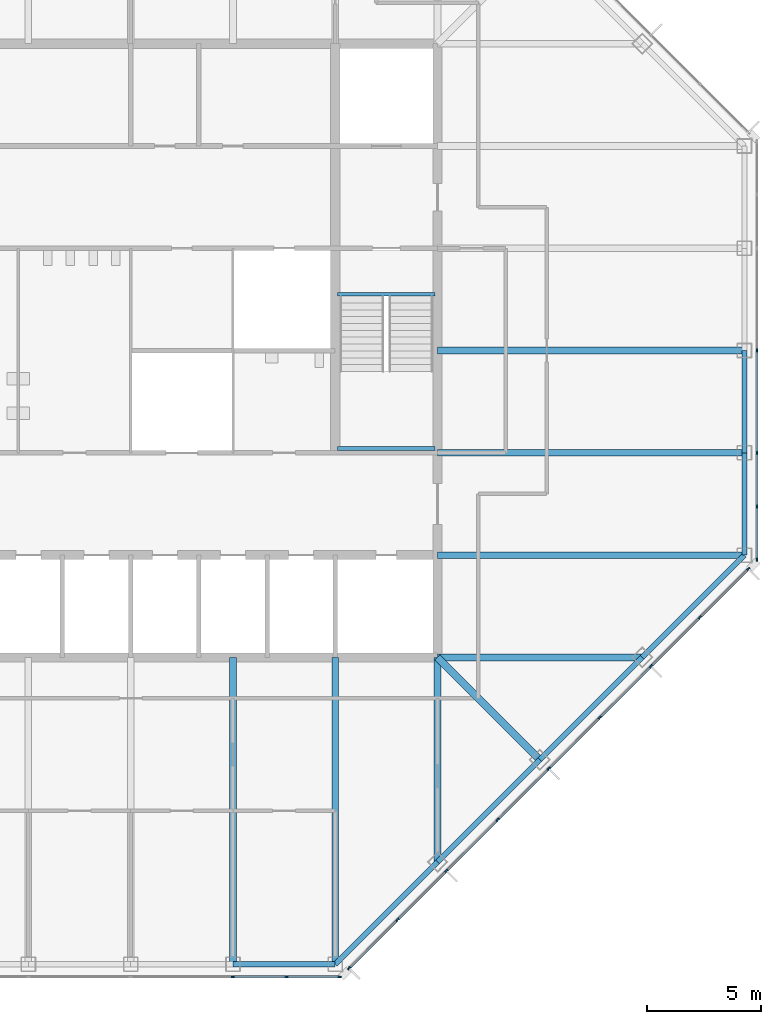
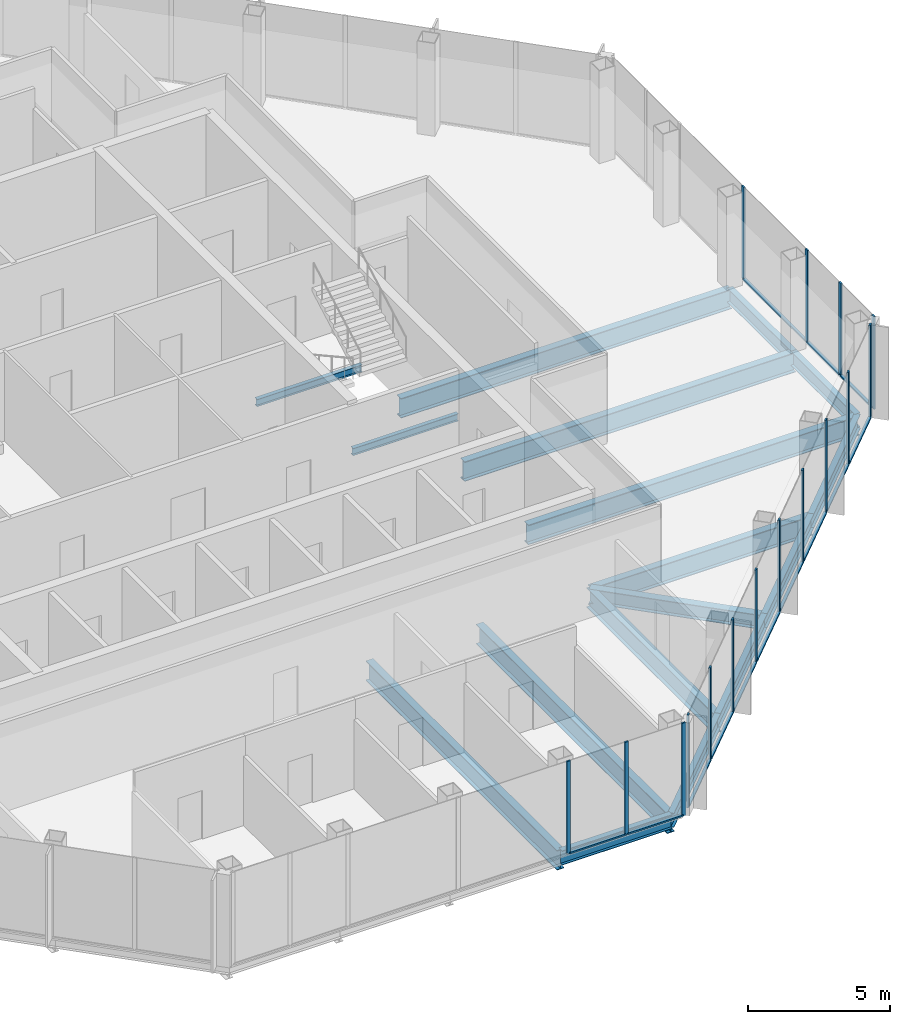
# One storey, part 4 of 14: 29 members, 17 beams, 3 elements without a shape of their own.
"""IFC4 building model written with IfcOpenShell, lengths in metres."""

import ifcopenshell
import ifcopenshell.guid

model = None  # the IFC model being written
_history = None  # IfcOwnerHistory: only IFC2X3 demands one
_inside = {}  # id of a spatial element -> (the spatial element, [elements in it])
_under = {}  # id of a project, library or spatial element -> (it, [spatial elements below it])
_declared = {}  # id of a project -> (the project, [libraries it declares])
_typed = {}  # id of a type object -> (the type object, [elements of that type])
_made_of = {}  # id of a material, layer set ... -> (it, [elements and type objects made of it])


def new_model(schema):
    """Start an empty IFC model of exactly this schema.

    Asked for "IFC4X3", IfcOpenShell would pick the latest addendum, in which some entities
    have other attributes; the version numbers below select the first issue.
    IFC2X3 requires an IfcOwnerHistory on every rooted entity: one is made here for all.
    """
    global model, _history
    if schema == "IFC4X3":
        model = ifcopenshell.file(schema_version=(4, 3, 0, 0))
    else:
        model = ifcopenshell.file(schema=schema)
    _inside.clear()
    _under.clear()
    _declared.clear()
    _typed.clear()
    _made_of.clear()
    _history = None
    if model.schema == "IFC2X3":
        org = make("IfcOrganization", Name="unknown")
        user = make(
            "IfcPersonAndOrganization",
            ThePerson=make("IfcPerson", FamilyName="unknown"),
            TheOrganization=org,
        )
        app = make(
            "IfcApplication",
            ApplicationDeveloper=org,
            Version="unknown",
            ApplicationFullName="unknown",
            ApplicationIdentifier="unknown",
        )
        _history = make(
            "IfcOwnerHistory",
            OwningUser=user,
            OwningApplication=app,
            ChangeAction="ADDED",
            CreationDate=0,
        )
    return model


def make(cls, **values):
    """One entity of the class cls with the attributes given. An attribute that is None is left unset."""
    return model.create_entity(
        cls, **{name: value for name, value in values.items() if value is not None}
    )


def rooted(cls, **values):
    """An entity with a GlobalId (a new one), such as an element, a storey or a relation."""
    return make(cls, GlobalId=ifcopenshell.guid.new(), OwnerHistory=_history, **values)


def si_unit(unit_type, name, prefix=None):
    """IfcSIUnit, for example si_unit("LENGTHUNIT", "METRE", prefix="MILLI")."""
    return make("IfcSIUnit", UnitType=unit_type, Prefix=prefix, Name=name)


def assignment(units):
    """IfcUnitAssignment: the units of a project."""
    return None if units is None else make("IfcUnitAssignment", Units=units)


def point(xyz):
    """IfcCartesianPoint."""
    return None if xyz is None else make("IfcCartesianPoint", Coordinates=xyz)


def direction(xyz):
    """IfcDirection."""
    return None if xyz is None else make("IfcDirection", DirectionRatios=xyz)


def frame(location, z_axis=None, x_axis=None):
    """IfcAxis2Placement3D, a coordinate frame: its origin and axes. An axis left out is left unset."""
    return make(
        "IfcAxis2Placement3D",
        Location=point(location),
        Axis=direction(z_axis),
        RefDirection=direction(x_axis),
    )


def frame_2d(location, x_axis=None):
    """IfcAxis2Placement2D, a coordinate frame in the plane: its origin and x axis."""
    return make(
        "IfcAxis2Placement2D", Location=point(location), RefDirection=direction(x_axis)
    )


def origin():
    """The frame at (0, 0, 0) with its axes left unset."""
    return frame((0.0, 0.0, 0.0))


def origin_2d():
    """The frame at (0, 0) in the plane with its x axis left unset."""
    return frame_2d((0.0, 0.0))


def place(relative_to, where):
    """IfcLocalPlacement: puts the frame where relative to a parent placement (None: the world)."""
    return make(
        "IfcLocalPlacement", PlacementRelTo=relative_to, RelativePlacement=where
    )


def context(
    kind, dimensions, precision=None, world=None, true_north=None, identifier=None
):
    """IfcGeometricRepresentationContext, for example the 3D "Model" context."""
    return make(
        "IfcGeometricRepresentationContext",
        ContextIdentifier=identifier,
        ContextType=kind,
        CoordinateSpaceDimension=dimensions,
        Precision=precision,
        WorldCoordinateSystem=world,
        TrueNorth=true_north,
    )


def subcontext(parent, identifier, kind, view, scale=None):
    """IfcGeometricRepresentationSubContext, for example "Body" below "Model"."""
    return make(
        "IfcGeometricRepresentationSubContext",
        ContextIdentifier=identifier,
        ContextType=kind,
        ParentContext=parent,
        TargetScale=scale,
        TargetView=view,
    )


def project(units=None, contexts=None):
    """IfcProject with its units and contexts."""
    return rooted(
        "IfcProject",
        Name="project",
        RepresentationContexts=contexts,
        UnitsInContext=assignment(units),
    )


def spatial(cls, under=None, at=None, **own):
    """A site, building, storey or space (cls), placed at a placement, below another one or the project."""
    s = rooted(cls, ObjectPlacement=at, **own)
    if under is not None:
        _under.setdefault(under.id(), (under, []))[1].append(s)
    return s


def profile(cls, at=None, kind="AREA", **sizes):
    """A parametric profile (cls). Its sizes go by their IFC names, for example OverallWidth=200.0."""
    return make(cls, ProfileType=kind, Position=at, **sizes)


def rectangle(**sizes):
    """IfcRectangleProfileDef."""
    return profile("IfcRectangleProfileDef", **sizes)


def i_section(**sizes):
    """IfcIShapeProfileDef."""
    return profile("IfcIShapeProfileDef", **sizes)


def extrude(swept, where, along, depth):
    """IfcExtrudedAreaSolid: the profile swept, set in the frame where, extruded along a direction by depth."""
    return make(
        "IfcExtrudedAreaSolid",
        SweptArea=swept,
        Position=where,
        ExtrudedDirection=direction(along),
        Depth=depth,
    )


def shape(context_of_items, identifier, shape_type, items):
    """IfcShapeRepresentation: the items that make up one representation, for example the "Body"."""
    return make(
        "IfcShapeRepresentation",
        ContextOfItems=context_of_items,
        RepresentationIdentifier=identifier,
        RepresentationType=shape_type,
        Items=items,
    )


def material(Name=None, Category=None):
    """IfcMaterial."""
    return make("IfcMaterial", Name=Name, Category=Category)


def material_profile(
    of_material, cross_section, Name=None, Category=None, Priority=None
):
    """IfcMaterialProfile: a cross section and its material."""
    return make(
        "IfcMaterialProfile",
        Name=Name,
        Material=of_material,
        Profile=cross_section,
        Priority=Priority,
        Category=Category,
    )


def profile_set(profiles, Name=None, composite=None):
    """IfcMaterialProfileSet."""
    return make(
        "IfcMaterialProfileSet",
        Name=Name,
        MaterialProfiles=profiles,
        CompositeProfile=composite,
    )


def made_of(thing, what):
    """Note that an element or type object is made of a material, layer set ...; save() writes the relation."""
    if what is not None:
        _made_of.setdefault(what.id(), (what, []))[1].append(thing)
    return thing


def type_object(cls, material=None, **own):
    """A type object (cls), such as IfcWallType, which elements share."""
    return made_of(rooted(cls, **own), material)


def element(
    cls,
    number,
    at=None,
    inside=None,
    cuts=None,
    type_object=None,
    material=None,
    context=None,
    identifier="Body",
    shape_type=None,
    held_by="IfcProductDefinitionShape",
    body=None,
    shapes=None,
    **own,
):
    """One element of the class cls, such as IfcWall. Its Tag is "e" and its number.

    at: its placement. inside: the storey or other place that contains it. cuts: it is an
    opening in that element (IfcRelVoidsElement). A single representation is given by context,
    identifier, shape_type and body (its items); several are given by shapes. held_by: the class
    of the entity that holds the representations. save() writes the other relations.
    """
    e = rooted(cls, Tag="e%d" % number, ObjectPlacement=at, **own)
    if body is not None:
        shapes = [shape(context, identifier, shape_type, body)]
    if shapes is not None:
        e.Representation = make(held_by, Representations=shapes)
    if inside is not None:
        _inside.setdefault(inside.id(), (inside, []))[1].append(e)
    if cuts is not None:
        rooted(
            "IfcRelVoidsElement", RelatingBuildingElement=cuts, RelatedOpeningElement=e
        )
    if type_object is not None:
        _typed.setdefault(type_object.id(), (type_object, []))[1].append(e)
    return made_of(e, material)


def aggregate(whole, parts):
    """IfcRelAggregates: a whole, such as a stair, and the parts it consists of."""
    return rooted("IfcRelAggregates", RelatingObject=whole, RelatedObjects=parts)


def save(model, path):
    """Write the relations noted so far, then the file.

    IfcRelAggregates (storeys below a building ...), IfcRelContainedInSpatialStructure (elements
    in a storey), IfcRelDefinesByType, IfcRelAssociatesMaterial and IfcRelDeclares: one each for
    every whole, place, type object, material and project.
    """
    for whole, parts in _under.values():
        aggregate(whole, parts)
    for where, things in _inside.values():
        rooted(
            "IfcRelContainedInSpatialStructure",
            RelatedElements=things,
            RelatingStructure=where,
        )
    for kind, things in _typed.values():
        rooted("IfcRelDefinesByType", RelatedObjects=things, RelatingType=kind)
    for what, things in _made_of.values():
        rooted("IfcRelAssociatesMaterial", RelatedObjects=things, RelatingMaterial=what)
    for by, libraries in _declared.values():
        rooted("IfcRelDeclares", RelatingContext=by, RelatedDefinitions=libraries)
    model.write(path)


model = new_model("IFC4")

# Units and contexts
model_context = context("Model", 3, precision=1e-05, world=origin(), true_north=direction((0.0, 1.0)))
body_context = subcontext(model_context, "Body", "Model", "MODEL_VIEW")
ifc_project = project(units=[si_unit("LENGTHUNIT", "METRE"), si_unit("AREAUNIT", "SQUARE_METRE"), si_unit("VOLUMEUNIT", "CUBIC_METRE"), si_unit("PLANEANGLEUNIT", "RADIAN"), si_unit("MASSUNIT", "GRAM", prefix="KILO")], contexts=[model_context])

# Site, building, storey
site_placement = place(None, origin())
site = spatial("IfcSite", under=ifc_project, at=site_placement, CompositionType="ELEMENT")
building_placement = place(site_placement, origin())
building = spatial("IfcBuilding", under=site, at=building_placement, Name="Corais Broadcast Tower", CompositionType="ELEMENT")
storey_placement = place(building_placement, frame((0.0, 0.0, 254.60009765625)))
storey = spatial("IfcBuildingStorey", under=building, at=storey_placement, Name="L59", CompositionType="ELEMENT", Elevation=254.60009765625)

# Beams
ifc_material_1 = material(Name="Steel ASTM A572 Grade 50", Category="steel")
ifc_material_profile_1 = material_profile(ifc_material_1, i_section(OverallWidth=0.323974609375, OverallDepth=0.611083984375, WebThickness=0.0126953125, FlangeThickness=0.01904296875, at=origin_2d()), Name="W610x155")
ifc_profile_set_1 = profile_set([ifc_material_profile_1], Name="Steel ASTM A572 Grade 50")
beam_type_1 = type_object("IfcBeamType", Name="Corner diagonal W610x155", PredefinedType="BEAM", material=ifc_profile_set_1)
beam_1_placement = place(storey_placement, frame((45.0, 9.0, -0.465576171875), z_axis=(-0.707106781187, 0.707106781187, 0.0), x_axis=(-0.707106781187, -0.707106781187, 0.0)))
element("IfcBeam", 1, at=beam_1_placement, inside=storey, type_object=beam_type_1, Name="B6 C/13 to D/12", PredefinedType="BEAM", context=body_context, shape_type="SweptSolid", body=[
    extrude(i_section(OverallWidth=0.323974609375, OverallDepth=0.611083984375, WebThickness=0.0126953125, FlangeThickness=0.01904296875, at=origin_2d()), origin(), (0.0, 0.0, 1.0), 6.364013671875),
])
ifc_material_2 = material(Name="Steel ASTM A572 Grade 50", Category="steel")
ifc_material_profile_2 = material_profile(ifc_material_2, i_section(OverallWidth=0.2939453125, OverallDepth=0.85107421875, WebThickness=0.01611328125, FlangeThickness=0.02685546875, at=origin_2d()), Name="W840x226")
ifc_profile_set_2 = profile_set([ifc_material_profile_2], Name="Steel ASTM A572 Grade 50")
beam_type_2 = type_object("IfcBeamType", Name="Floor beam W840x226", PredefinedType="BEAM", material=ifc_profile_set_2)
for number, where, z_axis, x_axis, name in (
    (2, (31.5, 0.0, -0.585693359375), (0.0, 1.0, 0.0), (-1.0, 0.0, 0.0), "B1 A/10 to D/10"),
    (3, (36.0, 0.0, -0.585693359375), (0.0, 1.0, 0.0), (-1.0, 0.0, 0.0), "B1 A/11 to D/11"),
):
    element("IfcBeam", number, at=place(storey_placement, frame(where, z_axis=z_axis, x_axis=x_axis)), inside=storey, type_object=beam_type_2, Name=name, PredefinedType="BEAM", context=body_context, shape_type="SweptSolid", body=[
        extrude(i_section(OverallWidth=0.2939453125, OverallDepth=0.85107421875, WebThickness=0.01611328125, FlangeThickness=0.02685546875, at=origin_2d()), origin(), (0.0, 0.0, 1.0), 13.5),
    ])
for number, where, z_axis, x_axis, name in (
    (4, (40.5, 4.5, -0.585693359375), (0.0, 1.0, 0.0), (-1.0, 0.0, 0.0), "B1 B/12 to D/12"),
    (5, (49.5, 13.5, -0.585693359375), (-1.0, 0.0, 0.0), (0.0, -1.0, 0.0), "B1 D/14 to D/12"),
):
    element("IfcBeam", number, at=place(storey_placement, frame(where, z_axis=z_axis, x_axis=x_axis)), inside=storey, type_object=beam_type_2, Name=name, PredefinedType="BEAM", context=body_context, shape_type="SweptSolid", body=[
        extrude(i_section(OverallWidth=0.2939453125, OverallDepth=0.85107421875, WebThickness=0.01611328125, FlangeThickness=0.02685546875, at=origin_2d()), origin(), (0.0, 0.0, 1.0), 9.0),
    ])
for number, where, z_axis, x_axis, name in (
    (6, (54.0, 18.0, -0.585693359375), (-1.0, 0.0, 0.0), (0.0, -1.0, 0.0), "B1 E/15 to E/12"),
    (7, (54.0, 22.5, -0.585693359375), (-1.0, 0.0, 0.0), (0.0, -1.0, 0.0), "B1 F/15 to F/12"),
    (8, (54.0, 27.0, -0.585693359375), (-1.0, 0.0, 0.0), (0.0, -1.0, 0.0), "B1 G/15 to G/12"),
):
    element("IfcBeam", number, at=place(storey_placement, frame(where, z_axis=z_axis, x_axis=x_axis)), inside=storey, type_object=beam_type_2, Name=name, PredefinedType="BEAM", context=body_context, shape_type="SweptSolid", body=[
        extrude(i_section(OverallWidth=0.2939453125, OverallDepth=0.85107421875, WebThickness=0.01611328125, FlangeThickness=0.02685546875, at=origin_2d()), origin(), (0.0, 0.0, 1.0), 13.5),
    ])
ifc_material_3 = material(Name="Steel ASTM A572 Grade 50", Category="steel")
ifc_material_profile_3 = material_profile(ifc_material_3, i_section(OverallWidth=0.1650390625, OverallDepth=0.31005859375, WebThickness=0.005859375, FlangeThickness=0.009765625, at=origin_2d()), Name="W310x38.7")
ifc_profile_set_3 = profile_set([ifc_material_profile_3], Name="Steel ASTM A572 Grade 50")
beam_type_3 = type_object("IfcBeamType", Name="Landing trimmer W310x38.7", PredefinedType="BEAM", material=ifc_profile_set_3)
for number, where, z_axis, x_axis, name in (
    (9, (36.10009765625, 29.47509765625, -0.35498046875), (1.0, 0.0, 0.0), (0.0, 1.0, 0.0), "LT1 stair B landing trimmer L59"),
    (10, (36.10009765625, 22.68994140625, 1.64501953125), (1.0, 0.0, 0.0), (0.0, 1.0, 0.0), "LT1 stair B half landing trimmer L59"),
):
    element("IfcBeam", number, at=place(storey_placement, frame(where, z_axis=z_axis, x_axis=x_axis)), inside=storey, type_object=beam_type_3, Name=name, PredefinedType="BEAM", context=body_context, shape_type="SweptSolid", body=[
        extrude(i_section(OverallWidth=0.1650390625, OverallDepth=0.31005859375, WebThickness=0.005859375, FlangeThickness=0.009765625, at=origin_2d()), origin(), (0.0, 0.0, 1.0), 4.2998046875),
    ])

# Curtain wall, members
ifc_material_4 = material(Name="Aluminium and glass", Category="aluminium")
curtain_wall_type = type_object("IfcCurtainWallType", Name="Unitised fritted curtain wall CW3", PredefinedType="NOTDEFINED", material=ifc_material_4)
curtain_wall_1_placement = place(storey_placement, origin())
curtain_wall_1 = element("IfcCurtainWall", 11, at=curtain_wall_1_placement, inside=storey, type_object=curtain_wall_type, Name="CW3 curtain wall L59 6", PredefinedType="NOTDEFINED")
ifc_material_5 = material(Name="Aluminium 6063-T6", Category="aluminium")
ifc_material_profile_4 = material_profile(ifc_material_5, rectangle(XDim=0.06494140625, YDim=0.159912109375, at=origin_2d()), Name="Mullion CW3 65x160")
ifc_profile_set_4 = profile_set([ifc_material_profile_4], Name="Aluminium 6063-T6")
member_type_1 = type_object("IfcMemberType", Name="Mullion CW3 65x160", PredefinedType="MULLION", material=ifc_profile_set_4)
member_1_placement = place(storey_placement, frame((54.550048828125, 27.0, 0.0), z_axis=(0.0, 0.0, 1.0), x_axis=(1.0, 0.0, 0.0)))
member_1 = element("IfcMember", 12, at=member_1_placement, type_object=member_type_1, Name="CW3 mullion 4", PredefinedType="MULLION", context=body_context, shape_type="SweptSolid", body=[
    extrude(rectangle(XDim=0.06494140625, YDim=0.159912109375, at=origin_2d()), origin(), (0.0, 0.0, 1.0), 4.0),
])
member_2_placement = place(storey_placement, frame((54.550048828125, 22.5, 0.0), z_axis=(0.0, 0.0, 1.0), x_axis=(1.0, 0.0, 0.0)))
member_2 = element("IfcMember", 13, at=member_2_placement, type_object=member_type_1, Name="CW3 mullion 5", PredefinedType="MULLION", context=body_context, shape_type="SweptSolid", body=[
    extrude(rectangle(XDim=0.06494140625, YDim=0.159912109375, at=origin_2d()), origin(), (0.0, 0.0, 1.0), 4.0),
])
member_3_placement = place(storey_placement, frame((54.550048828125, 20.135986328125, 0.0), z_axis=(0.0, 0.0, 1.0), x_axis=(1.0, 0.0, 0.0)))
member_3 = element("IfcMember", 14, at=member_3_placement, type_object=member_type_1, Name="CW3 mullion 6", PredefinedType="MULLION", context=body_context, shape_type="SweptSolid", body=[
    extrude(rectangle(XDim=0.06494140625, YDim=0.159912109375, at=origin_2d()), origin(), (0.0, 0.0, 1.0), 4.0),
])
member_4_placement = place(storey_placement, frame((54.550048828125, 17.8046875, 0.0), z_axis=(0.0, 0.0, 1.0), x_axis=(1.0, 0.0, 0.0)))
member_4 = element("IfcMember", 15, at=member_4_placement, type_object=member_type_1, Name="CW3 mullion 7", PredefinedType="MULLION", context=body_context, shape_type="SweptSolid", body=[
    extrude(rectangle(XDim=0.06494140625, YDim=0.159912109375, at=origin_2d()), origin(), (0.0, 0.0, 1.0), 4.0),
])

curtain_wall_2_placement = place(storey_placement, origin())
curtain_wall_2 = element("IfcCurtainWall", 16, at=curtain_wall_2_placement, inside=storey, type_object=curtain_wall_type, Name="CW3 curtain wall L59 7", PredefinedType="NOTDEFINED")
member_5_placement = place(storey_placement, frame((54.17333984375, 17.3955078125, 0.0), z_axis=(0.0, 0.0, 1.0), x_axis=(0.707106781187, -0.707106781187, 0.0)))
member_5 = element("IfcMember", 17, at=member_5_placement, type_object=member_type_1, Name="CW3 mullion 1", PredefinedType="MULLION", context=body_context, shape_type="SweptSolid", body=[
    extrude(rectangle(XDim=0.06494140625, YDim=0.159912109375, at=origin_2d()), origin(), (0.0, 0.0, 1.0), 4.0),
])
member_6_placement = place(storey_placement, frame((52.042724609375, 15.264892578125, 0.0), z_axis=(0.0, 0.0, 1.0), x_axis=(0.707106781187, -0.707106781187, 0.0)))
member_6 = element("IfcMember", 18, at=member_6_placement, type_object=member_type_1, Name="CW3 mullion 2", PredefinedType="MULLION", context=body_context, shape_type="SweptSolid", body=[
    extrude(rectangle(XDim=0.06494140625, YDim=0.159912109375, at=origin_2d()), origin(), (0.0, 0.0, 1.0), 4.0),
])
member_7_placement = place(storey_placement, frame((49.888916015625, 13.111083984375, 0.0), z_axis=(0.0, 0.0, 1.0), x_axis=(0.707106781187, -0.707106781187, 0.0)))
member_7 = element("IfcMember", 19, at=member_7_placement, type_object=member_type_1, Name="CW3 mullion 3", PredefinedType="MULLION", context=body_context, shape_type="SweptSolid", body=[
    extrude(rectangle(XDim=0.06494140625, YDim=0.159912109375, at=origin_2d()), origin(), (0.0, 0.0, 1.0), 4.0),
])
member_8_placement = place(storey_placement, frame((47.638916015625, 10.861083984375, 0.0), z_axis=(0.0, 0.0, 1.0), x_axis=(0.707106781187, -0.707106781187, 0.0)))
member_8 = element("IfcMember", 20, at=member_8_placement, type_object=member_type_1, Name="CW3 mullion 4", PredefinedType="MULLION", context=body_context, shape_type="SweptSolid", body=[
    extrude(rectangle(XDim=0.06494140625, YDim=0.159912109375, at=origin_2d()), origin(), (0.0, 0.0, 1.0), 4.0),
])
member_9_placement = place(storey_placement, frame((45.388916015625, 8.611083984375, 0.0), z_axis=(0.0, 0.0, 1.0), x_axis=(0.707106781187, -0.707106781187, 0.0)))
member_9 = element("IfcMember", 21, at=member_9_placement, type_object=member_type_1, Name="CW3 mullion 5", PredefinedType="MULLION", context=body_context, shape_type="SweptSolid", body=[
    extrude(rectangle(XDim=0.06494140625, YDim=0.159912109375, at=origin_2d()), origin(), (0.0, 0.0, 1.0), 4.0),
])
member_10_placement = place(storey_placement, frame((43.138916015625, 6.361083984375, 0.0), z_axis=(0.0, 0.0, 1.0), x_axis=(0.707106781187, -0.707106781187, 0.0)))
member_10 = element("IfcMember", 22, at=member_10_placement, type_object=member_type_1, Name="CW3 mullion 6", PredefinedType="MULLION", context=body_context, shape_type="SweptSolid", body=[
    extrude(rectangle(XDim=0.06494140625, YDim=0.159912109375, at=origin_2d()), origin(), (0.0, 0.0, 1.0), 4.0),
])
member_11_placement = place(storey_placement, frame((40.888916015625, 4.111083984375, 0.0), z_axis=(0.0, 0.0, 1.0), x_axis=(0.707106781187, -0.707106781187, 0.0)))
member_11 = element("IfcMember", 23, at=member_11_placement, type_object=member_type_1, Name="CW3 mullion 7", PredefinedType="MULLION", context=body_context, shape_type="SweptSolid", body=[
    extrude(rectangle(XDim=0.06494140625, YDim=0.159912109375, at=origin_2d()), origin(), (0.0, 0.0, 1.0), 4.0),
])
member_12_placement = place(storey_placement, frame((38.735107421875, 1.957275390625, 0.0), z_axis=(0.0, 0.0, 1.0), x_axis=(0.707106781187, -0.707106781187, 0.0)))
member_12 = element("IfcMember", 24, at=member_12_placement, type_object=member_type_1, Name="CW3 mullion 8", PredefinedType="MULLION", context=body_context, shape_type="SweptSolid", body=[
    extrude(rectangle(XDim=0.06494140625, YDim=0.159912109375, at=origin_2d()), origin(), (0.0, 0.0, 1.0), 4.0),
])
member_13_placement = place(storey_placement, frame((36.6044921875, -0.17333984375, 0.0), z_axis=(0.0, 0.0, 1.0), x_axis=(0.707106781187, -0.707106781187, 0.0)))
member_13 = element("IfcMember", 25, at=member_13_placement, type_object=member_type_1, Name="CW3 mullion 9", PredefinedType="MULLION", context=body_context, shape_type="SweptSolid", body=[
    extrude(rectangle(XDim=0.06494140625, YDim=0.159912109375, at=origin_2d()), origin(), (0.0, 0.0, 1.0), 4.0),
])

curtain_wall_3_placement = place(storey_placement, origin())
curtain_wall_3 = element("IfcCurtainWall", 26, at=curtain_wall_3_placement, inside=storey, type_object=curtain_wall_type, Name="CW3 curtain wall L59 8", PredefinedType="NOTDEFINED")
member_14_placement = place(storey_placement, frame((36.1953125, -0.550048828125, 0.0), z_axis=(0.0, 0.0, 1.0), x_axis=(0.0, -1.0, 0.0)))
member_14 = element("IfcMember", 27, at=member_14_placement, type_object=member_type_1, Name="CW3 mullion 1", PredefinedType="MULLION", context=body_context, shape_type="SweptSolid", body=[
    extrude(rectangle(XDim=0.06494140625, YDim=0.159912109375, at=origin_2d()), origin(), (0.0, 0.0, 1.0), 4.0),
])
member_15_placement = place(storey_placement, frame((33.864013671875, -0.550048828125, 0.0), z_axis=(0.0, 0.0, 1.0), x_axis=(0.0, -1.0, 0.0)))
member_15 = element("IfcMember", 28, at=member_15_placement, type_object=member_type_1, Name="CW3 mullion 2", PredefinedType="MULLION", context=body_context, shape_type="SweptSolid", body=[
    extrude(rectangle(XDim=0.06494140625, YDim=0.159912109375, at=origin_2d()), origin(), (0.0, 0.0, 1.0), 4.0),
])
member_16_placement = place(storey_placement, frame((31.5, -0.550048828125, 0.0), z_axis=(0.0, 0.0, 1.0), x_axis=(0.0, -1.0, 0.0)))
member_16 = element("IfcMember", 29, at=member_16_placement, type_object=member_type_1, Name="CW3 mullion 3", PredefinedType="MULLION", context=body_context, shape_type="SweptSolid", body=[
    extrude(rectangle(XDim=0.06494140625, YDim=0.159912109375, at=origin_2d()), origin(), (0.0, 0.0, 1.0), 4.0),
])

# Beams
ifc_material_6 = material(Name="Steel ASTM A572 Grade 50", Category="steel")
ifc_material_profile_5 = material_profile(ifc_material_6, i_section(OverallWidth=0.22998046875, OverallDepth=0.616943359375, WebThickness=0.01318359375, FlangeThickness=0.022216796875, at=origin_2d()), Name="W610x140")
ifc_profile_set_5 = profile_set([ifc_material_profile_5], Name="Steel ASTM A572 Grade 50")
beam_type_4 = type_object("IfcBeamType", Name="Spandrel W610x140", PredefinedType="BEAM", material=ifc_profile_set_5)
beam_2_placement = place(storey_placement, frame((31.5, 0.0, -0.468505859375), z_axis=(1.0, 0.0, 0.0), x_axis=(0.0, 1.0, 0.0)))
element("IfcBeam", 30, at=beam_2_placement, inside=storey, type_object=beam_type_4, Name="SB3 A/10 to A/11", PredefinedType="BEAM", context=body_context, shape_type="SweptSolid", body=[
    extrude(i_section(OverallWidth=0.22998046875, OverallDepth=0.616943359375, WebThickness=0.01318359375, FlangeThickness=0.022216796875, at=origin_2d()), origin(), (0.0, 0.0, 1.0), 4.5),
])
for number, where, z_axis, x_axis, name in (
    (31, (36.0, 0.0, -0.468505859375), (0.707106781187, 0.707106781187, 0.0), (-0.707106781187, 0.707106781187, 0.0), "SB3 A/11 to B/12"),
    (32, (40.5, 4.5, -0.468505859375), (0.707106781187, 0.707106781187, 0.0), (-0.707106781187, 0.707106781187, 0.0), "SB3 B/12 to C/13"),
    (33, (45.0, 9.0, -0.468505859375), (0.707106781187, 0.707106781187, 0.0), (-0.707106781187, 0.707106781187, 0.0), "SB3 C/13 to D/14"),
    (34, (49.5, 13.5, -0.468505859375), (0.707106781187, 0.707106781187, 0.0), (-0.707106781187, 0.707106781187, 0.0), "SB3 D/14 to E/15"),
):
    element("IfcBeam", number, at=place(storey_placement, frame(where, z_axis=z_axis, x_axis=x_axis)), inside=storey, type_object=beam_type_4, Name=name, PredefinedType="BEAM", context=body_context, shape_type="SweptSolid", body=[
        extrude(i_section(OverallWidth=0.22998046875, OverallDepth=0.616943359375, WebThickness=0.01318359375, FlangeThickness=0.022216796875, at=origin_2d()), origin(), (0.0, 0.0, 1.0), 6.364013671875),
    ])
for number, where, z_axis, x_axis, name in (
    (35, (54.0, 18.0, -0.468505859375), (0.0, 1.0, 0.0), (-1.0, 0.0, 0.0), "SB3 E/15 to F/15"),
    (36, (54.0, 22.5, -0.468505859375), (0.0, 1.0, 0.0), (-1.0, 0.0, 0.0), "SB3 F/15 to G/15"),
):
    element("IfcBeam", number, at=place(storey_placement, frame(where, z_axis=z_axis, x_axis=x_axis)), inside=storey, type_object=beam_type_4, Name=name, PredefinedType="BEAM", context=body_context, shape_type="SweptSolid", body=[
        extrude(i_section(OverallWidth=0.22998046875, OverallDepth=0.616943359375, WebThickness=0.01318359375, FlangeThickness=0.022216796875, at=origin_2d()), origin(), (0.0, 0.0, 1.0), 4.5),
    ])

# Member
ifc_material_7 = material(Name="Aluminium 6063-T6", Category="aluminium")
ifc_material_profile_6 = material_profile(ifc_material_7, rectangle(XDim=0.1201171875, YDim=0.06494140625, at=origin_2d()), Name="Transom CW3 65x120")
ifc_profile_set_6 = profile_set([ifc_material_profile_6], Name="Aluminium 6063-T6")
member_type_2 = type_object("IfcMemberType", Name="Transom CW3 65x120", PredefinedType="USERDEFINED", material=ifc_profile_set_6)
member_17_placement = place(storey_placement, frame((54.550048828125, 26.967529296875, 0.032470703125), z_axis=(0.0, -1.0, 0.0), x_axis=(1.0, 0.0, 0.0)))
member_17 = element("IfcMember", 37, at=member_17_placement, type_object=member_type_2, Name="CW3 transom 4.1", ObjectType="TRANSOM", PredefinedType="USERDEFINED", context=body_context, shape_type="SweptSolid", body=[
    extrude(rectangle(XDim=0.1201171875, YDim=0.06494140625, at=origin_2d()), origin(), (0.0, 0.0, 1.0), 4.43505859375),
])

member_18_placement = place(storey_placement, frame((54.550048828125, 22.467529296875, 0.032470703125), z_axis=(0.0, -1.0, 0.0), x_axis=(1.0, 0.0, 0.0)))
member_18 = element("IfcMember", 38, at=member_18_placement, type_object=member_type_2, Name="CW3 transom 5.1", ObjectType="TRANSOM", PredefinedType="USERDEFINED", context=body_context, shape_type="SweptSolid", body=[
    extrude(rectangle(XDim=0.1201171875, YDim=0.06494140625, at=origin_2d()), origin(), (0.0, 0.0, 1.0), 2.298828125),
])

member_19_placement = place(storey_placement, frame((54.550048828125, 20.103515625, 0.032470703125), z_axis=(0.0, -1.0, 0.0), x_axis=(1.0, 0.0, 0.0)))
member_19 = element("IfcMember", 39, at=member_19_placement, type_object=member_type_2, Name="CW3 transom 6.1", ObjectType="TRANSOM", PredefinedType="USERDEFINED", context=body_context, shape_type="SweptSolid", body=[
    extrude(rectangle(XDim=0.1201171875, YDim=0.06494140625, at=origin_2d()), origin(), (0.0, 0.0, 1.0), 2.266357421875),
])

aggregate(curtain_wall_1, [member_1, member_2, member_3, member_4, member_17, member_18, member_19])

member_20_placement = place(storey_placement, frame((54.150390625, 17.37255859375, 0.032470703125), z_axis=(-0.707106781187, -0.707106781187, 0.0), x_axis=(0.707106781187, -0.707106781187, 0.0)))
member_20 = element("IfcMember", 40, at=member_20_placement, type_object=member_type_2, Name="CW3 transom 1.1", ObjectType="TRANSOM", PredefinedType="USERDEFINED", context=body_context, shape_type="SweptSolid", body=[
    extrude(rectangle(XDim=0.1201171875, YDim=0.06494140625, at=origin_2d()), origin(), (0.0, 0.0, 1.0), 2.9482421875),
])

member_21_placement = place(storey_placement, frame((52.019775390625, 15.241943359375, 0.032470703125), z_axis=(-0.707106781187, -0.707106781187, 0.0), x_axis=(0.707106781187, -0.707106781187, 0.0)))
member_21 = element("IfcMember", 41, at=member_21_placement, type_object=member_type_2, Name="CW3 transom 2.1", ObjectType="TRANSOM", PredefinedType="USERDEFINED", context=body_context, shape_type="SweptSolid", body=[
    extrude(rectangle(XDim=0.1201171875, YDim=0.06494140625, at=origin_2d()), origin(), (0.0, 0.0, 1.0), 2.98095703125),
])

member_22_placement = place(storey_placement, frame((49.865966796875, 13.088134765625, 0.032470703125), z_axis=(-0.707106781187, -0.707106781187, 0.0), x_axis=(0.707106781187, -0.707106781187, 0.0)))
member_22 = element("IfcMember", 42, at=member_22_placement, type_object=member_type_2, Name="CW3 transom 3.1", ObjectType="TRANSOM", PredefinedType="USERDEFINED", context=body_context, shape_type="SweptSolid", body=[
    extrude(rectangle(XDim=0.1201171875, YDim=0.06494140625, at=origin_2d()), origin(), (0.0, 0.0, 1.0), 3.1171875),
])

member_23_placement = place(storey_placement, frame((47.615966796875, 10.838134765625, 0.032470703125), z_axis=(-0.707106781187, -0.707106781187, 0.0), x_axis=(0.707106781187, -0.707106781187, 0.0)))
member_23 = element("IfcMember", 43, at=member_23_placement, type_object=member_type_2, Name="CW3 transom 4.1", ObjectType="TRANSOM", PredefinedType="USERDEFINED", context=body_context, shape_type="SweptSolid", body=[
    extrude(rectangle(XDim=0.1201171875, YDim=0.06494140625, at=origin_2d()), origin(), (0.0, 0.0, 1.0), 3.1171875),
])

member_24_placement = place(storey_placement, frame((45.365966796875, 8.588134765625, 0.032470703125), z_axis=(-0.707106781187, -0.707106781187, 0.0), x_axis=(0.707106781187, -0.707106781187, 0.0)))
member_24 = element("IfcMember", 44, at=member_24_placement, type_object=member_type_2, Name="CW3 transom 5.1", ObjectType="TRANSOM", PredefinedType="USERDEFINED", context=body_context, shape_type="SweptSolid", body=[
    extrude(rectangle(XDim=0.1201171875, YDim=0.06494140625, at=origin_2d()), origin(), (0.0, 0.0, 1.0), 3.1171875),
])

member_25_placement = place(storey_placement, frame((43.115966796875, 6.338134765625, 0.032470703125), z_axis=(-0.707106781187, -0.707106781187, 0.0), x_axis=(0.707106781187, -0.707106781187, 0.0)))
member_25 = element("IfcMember", 45, at=member_25_placement, type_object=member_type_2, Name="CW3 transom 6.1", ObjectType="TRANSOM", PredefinedType="USERDEFINED", context=body_context, shape_type="SweptSolid", body=[
    extrude(rectangle(XDim=0.1201171875, YDim=0.06494140625, at=origin_2d()), origin(), (0.0, 0.0, 1.0), 3.1171875),
])

member_26_placement = place(storey_placement, frame((40.865966796875, 4.088134765625, 0.032470703125), z_axis=(-0.70714773134, -0.707065828661, 0.0), x_axis=(0.707065828661, -0.70714773134, 0.0)))
member_26 = element("IfcMember", 46, at=member_26_placement, type_object=member_type_2, Name="CW3 transom 7.1", ObjectType="TRANSOM", PredefinedType="USERDEFINED", context=body_context, shape_type="SweptSolid", body=[
    extrude(rectangle(XDim=0.1201171875, YDim=0.06494140625, at=origin_2d()), origin(), (0.0, 0.0, 1.0), 2.98095703125),
])

member_27_placement = place(storey_placement, frame((38.712158203125, 1.934326171875, 0.032470703125), z_axis=(-0.707106781187, -0.707106781187, 0.0), x_axis=(0.707106781187, -0.707106781187, 0.0)))
member_27 = element("IfcMember", 47, at=member_27_placement, type_object=member_type_2, Name="CW3 transom 8.1", ObjectType="TRANSOM", PredefinedType="USERDEFINED", context=body_context, shape_type="SweptSolid", body=[
    extrude(rectangle(XDim=0.1201171875, YDim=0.06494140625, at=origin_2d()), origin(), (0.0, 0.0, 1.0), 2.9482421875),
])

aggregate(curtain_wall_2, [member_5, member_6, member_7, member_8, member_9, member_10, member_11, member_12, member_13, member_20, member_21, member_22, member_23, member_24, member_25, member_26, member_27])

member_28_placement = place(storey_placement, frame((36.162841796875, -0.550048828125, 0.032470703125), z_axis=(-1.0, 0.0, 0.0), x_axis=(0.0, -1.0, 0.0)))
member_28 = element("IfcMember", 48, at=member_28_placement, type_object=member_type_2, Name="CW3 transom 1.1", ObjectType="TRANSOM", PredefinedType="USERDEFINED", context=body_context, shape_type="SweptSolid", body=[
    extrude(rectangle(XDim=0.1201171875, YDim=0.06494140625, at=origin_2d()), origin(), (0.0, 0.0, 1.0), 2.266357421875),
])

member_29_placement = place(storey_placement, frame((33.831298828125, -0.550048828125, 0.032470703125), z_axis=(-1.0, 0.0, 0.0), x_axis=(0.0, -1.0, 0.0)))
member_29 = element("IfcMember", 49, at=member_29_placement, type_object=member_type_2, Name="CW3 transom 2.1", ObjectType="TRANSOM", PredefinedType="USERDEFINED", context=body_context, shape_type="SweptSolid", body=[
    extrude(rectangle(XDim=0.1201171875, YDim=0.06494140625, at=origin_2d()), origin(), (0.0, 0.0, 1.0), 2.298828125),
])

aggregate(curtain_wall_3, [member_14, member_15, member_16, member_28, member_29])

save(model, "model.ifc")
